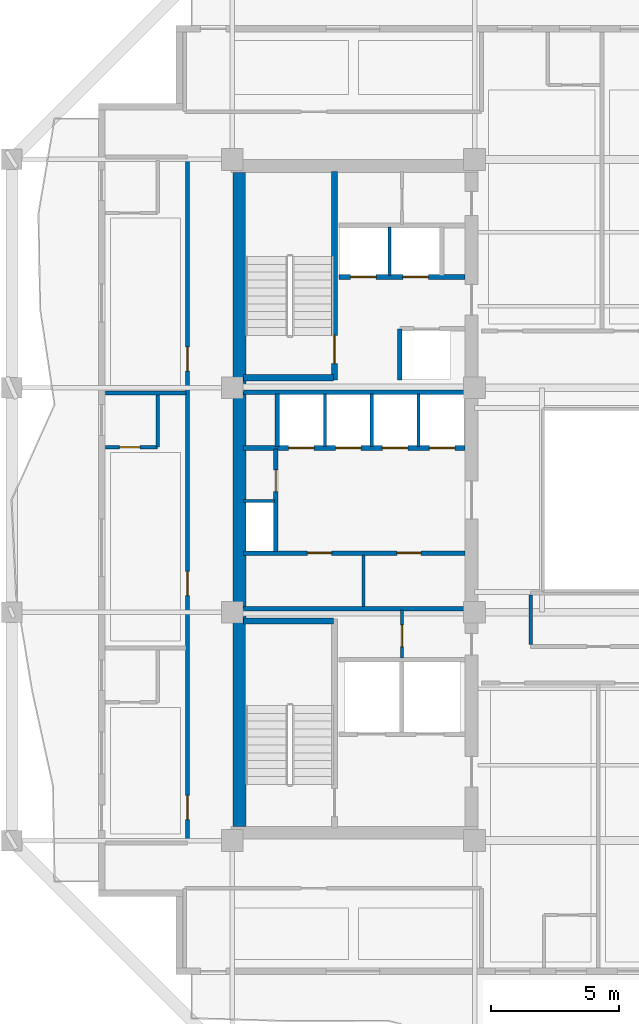
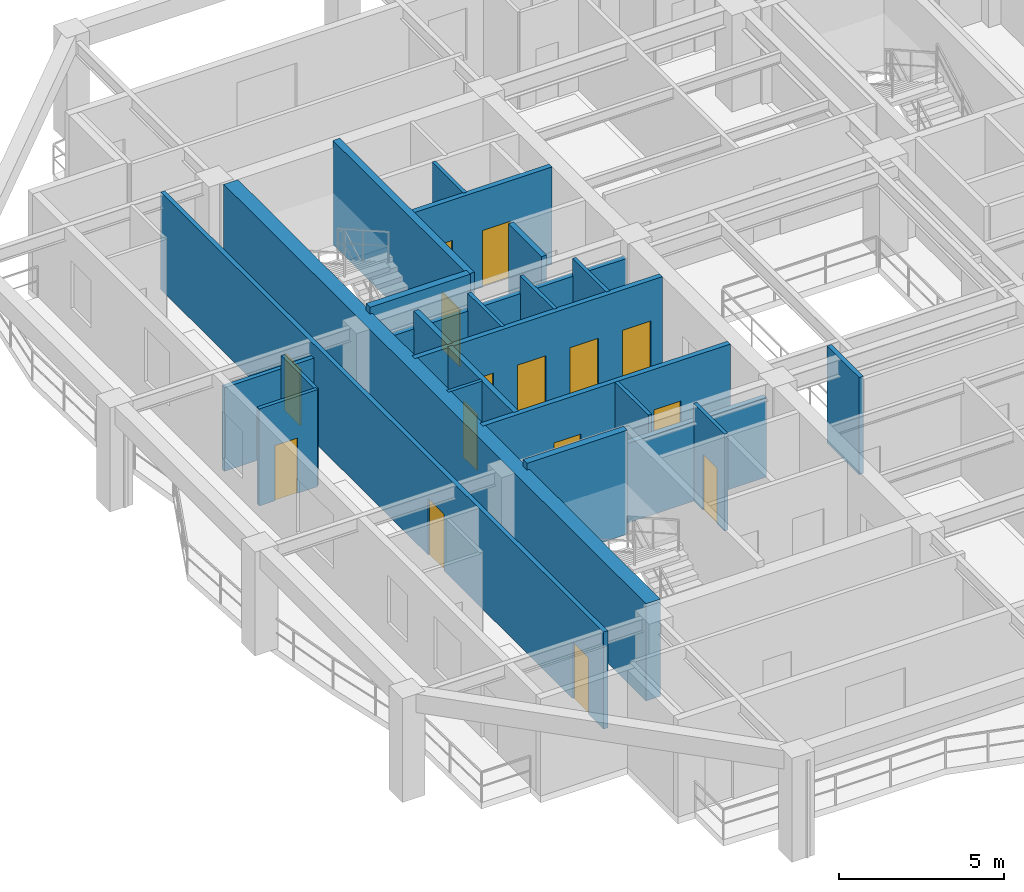
# One storey, part 4 of 11: 24 walls, 15 doors, 15 openings.
"""IFC4 building model written with IfcOpenShell, lengths in metres."""

from ifc_helpers import new_model, si_unit, direction, frame, frame_2d, origin, place, context, subcontext, project, spatial, rectangle, extrude, material, layer, layer_set, type_object, element, fill, save


model = new_model("IFC4")

# Units and contexts
model_context = context("Model", 3, precision=1e-05, world=origin(), true_north=direction((0.0, 1.0)))
body_context = subcontext(model_context, "Body", "Model", "MODEL_VIEW")
ifc_project = project(units=[si_unit("LENGTHUNIT", "METRE"), si_unit("AREAUNIT", "SQUARE_METRE"), si_unit("VOLUMEUNIT", "CUBIC_METRE"), si_unit("PLANEANGLEUNIT", "RADIAN"), si_unit("MASSUNIT", "GRAM", prefix="KILO")], contexts=[model_context])

# Site, building, storey
site_placement = place(None, origin())
site = spatial("IfcSite", under=ifc_project, at=site_placement, CompositionType="ELEMENT")
building_placement = place(site_placement, origin())
building = spatial("IfcBuilding", under=site, at=building_placement, Name="Kundavana Baori Tower", CompositionType="ELEMENT")
storey_placement = place(building_placement, frame((0.0, 0.0, 130.949951171875)))
storey = spatial("IfcBuildingStorey", under=building, at=storey_placement, Name="L31", CompositionType="ELEMENT", Elevation=130.949951171875)

# Wall
ifc_material_1 = material(Name="Concrete C50/60", Category="concrete")
ifc_layer_1 = layer(ifc_material_1, 0.39990234375, Name="WL-CORE-400")
ifc_layer_set_1 = layer_set([ifc_layer_1], Name="Concrete C50/60")
wall_type_1 = type_object("IfcWallType", Name="WL-CORE-400", PredefinedType="SHEAR", material=ifc_layer_set_1)
wall_1_placement = place(storey_placement, frame((15.89990234375, 23.860107421875, 0.0), z_axis=(0.0, 0.0, 1.0), x_axis=(1.0, 0.0, 0.0)))
element("IfcWall", 1, at=wall_1_placement, inside=storey, type_object=wall_type_1, Name="WL-L31-ST1-N", PredefinedType="SHEAR", context=body_context, shape_type="SweptSolid", body=[
    extrude(rectangle(XDim=3.52001953125, YDim=0.239990234375, at=frame_2d((1.760009765625, 0.0))), origin(), (0.0, 0.0, 1.0), 3.85009765625),
])

# Wall, opening, door
wall_2_placement = place(storey_placement, frame((19.4599609375, 33.300048828125, 0.0), z_axis=(0.0, 0.0, 1.0), x_axis=(0.0, 1.0, 0.0)))
wall_2 = element("IfcWall", 2, at=wall_2_placement, inside=storey, type_object=wall_type_1, Name="WL-L31-ST2-E", PredefinedType="SHEAR", context=body_context, shape_type="SweptSolid", body=[
    extrude(rectangle(XDim=8.179931640625, YDim=0.239990234375, at=frame_2d((4.08984375, 0.0))), origin(), (0.0, 0.0, 1.0), 3.85009765625),
])
opening_1_placement = place(wall_2_placement, frame((0.64990234375, 0.0, 0.0)))
opening_1 = element("IfcOpeningElement", 3, at=opening_1_placement, cuts=wall_2, Name="Opening FD-110", PredefinedType="OPENING", context=body_context, shape_type="SweptSolid", body=[
    extrude(rectangle(XDim=1.10009765625, YDim=2.10009765625, at=frame_2d((0.550048828125, 1.050048828125))), frame((0.0, 0.1298828125, 0.0), z_axis=(0.0, -1.0, 0.0), x_axis=(1.0, 0.0, 0.0)), (0.0, 0.0, 1.0), 0.260009765625),
])
ifc_material_2 = material(Name="Galvanised Steel Fire-Rated Door Leaf", Category="steel")
door_type_1 = type_object("IfcDoorType", Name="DR-FD120-1100", OperationType="NOTDEFINED", PredefinedType="DOOR", material=ifc_material_2)
door_1_placement = place(opening_1_placement, origin())
door_1 = element("IfcDoor", 4, at=door_1_placement, inside=storey, type_object=door_type_1, Name="DR-L31-ST2", OperationType="SINGLE_SWING_RIGHT", OverallHeight=2.10009765625, OverallWidth=1.10009765625, PredefinedType="DOOR", context=body_context, shape_type="SweptSolid", body=[
    extrude(rectangle(XDim=1.10009765625, YDim=2.10009765625, at=frame_2d((0.550048828125, 1.050048828125))), frame((0.0, 0.02490234375, 0.0), z_axis=(0.0, -1.0, 0.0), x_axis=(1.0, 0.0, 0.0)), (0.0, 0.0, 1.0), 0.050048828125),
])
fill(opening_1, door_1)

# Walls
wall_3_placement = place(storey_placement, frame((15.89990234375, 33.389892578125, 0.0), z_axis=(0.0, 0.0, 1.0), x_axis=(1.0, 0.0, 0.0)))
element("IfcWall", 5, at=wall_3_placement, inside=storey, type_object=wall_type_1, Name="WL-L31-ST2-S", PredefinedType="SHEAR", context=body_context, shape_type="SweptSolid", body=[
    extrude(rectangle(XDim=3.52001953125, YDim=0.239990234375, at=frame_2d((1.760009765625, 0.0))), origin(), (0.0, 0.0, 1.0), 3.85009765625),
])
ifc_material_3 = material(Name="Concrete C50/60", Category="concrete")
ifc_layer_2 = layer(ifc_material_3, 0.5, Name="WL-CORE-500")
ifc_layer_set_2 = layer_set([ifc_layer_2], Name="Concrete C50/60")
wall_type_2 = type_object("IfcWallType", Name="WL-CORE-500", PredefinedType="SHEAR", material=ifc_layer_set_2)
wall_4_placement = place(storey_placement, frame((15.739990234375, 15.81005859375, 0.0), z_axis=(0.0, 0.0, 1.0), x_axis=(0.0, 1.0, 0.0)))
element("IfcWall", 6, at=wall_4_placement, inside=storey, type_object=wall_type_2, Name="L31 Offset Core West Shear Wall", PredefinedType="SHEAR", context=body_context, shape_type="SweptSolid", body=[
    extrude(rectangle(XDim=25.6298828125, YDim=0.5, at=frame_2d((12.81494140625, 0.0))), origin(), (0.0, 0.0, 1.0), 3.60009765625),
])

# Wall, opening, door
ifc_material_4 = material(Name="Acoustic Gypsum Plasterboard on Galvanised Steel Studs", Category="steel")
ifc_layer_3 = layer(ifc_material_4, 0.1201171875, Name="WL-PART-120")
ifc_layer_set_3 = layer_set([ifc_layer_3], Name="Acoustic Gypsum Plasterboard on Galvanised Steel Studs")
wall_type_3 = type_object("IfcWallType", Name="WL-PART-120", PredefinedType="PARTITIONING", material=ifc_layer_set_3)
wall_5_placement = place(storey_placement, frame((22.10009765625, 22.39990234375, 0.0), z_axis=(0.0, 0.0, 1.0), x_axis=(0.0, 1.0, 0.0)))
wall_5 = element("IfcWall", 7, at=wall_5_placement, inside=storey, type_object=wall_type_3, Name="WL-L31-CSMK-D1", PredefinedType="PARTITIONING", context=body_context, shape_type="SweptSolid", body=[
    extrude(rectangle(XDim=1.880126953125, YDim=0.1201171875, at=frame_2d((0.93994140625, 0.0))), origin(), (0.0, 0.0, 1.0), 3.60009765625),
])
opening_2_placement = place(wall_5_placement, frame((0.449951171875, 0.0, 0.0)))
opening_2 = element("IfcOpeningElement", 8, at=opening_2_placement, cuts=wall_5, Name="Opening FD-085", PredefinedType="OPENING", context=body_context, shape_type="SweptSolid", body=[
    extrude(rectangle(XDim=0.85009765625, YDim=2.06005859375, at=frame_2d((0.425048828125, 1.030029296875))), frame((0.0, 0.070068359375, 0.0), z_axis=(0.0, -1.0, 0.0), x_axis=(1.0, 0.0, 0.0)), (0.0, 0.0, 1.0), 0.14013671875),
])
ifc_material_5 = material(Name="Galvanised Steel Fire-Rated Door Leaf", Category="steel")
door_type_2 = type_object("IfcDoorType", Name="DR-FD60-850", OperationType="NOTDEFINED", PredefinedType="DOOR", material=ifc_material_5)
door_2_placement = place(opening_2_placement, origin())
door_2 = element("IfcDoor", 9, at=door_2_placement, inside=storey, type_object=door_type_2, Name="DR-L31-CSMK1", OperationType="SINGLE_SWING_LEFT", OverallHeight=2.06005859375, OverallWidth=0.85009765625, PredefinedType="DOOR", context=body_context, shape_type="SweptSolid", body=[
    extrude(rectangle(XDim=0.85009765625, YDim=2.06005859375, at=frame_2d((0.425048828125, 1.030029296875))), frame((0.0, 0.02490234375, 0.0), z_axis=(0.0, -1.0, 0.0), x_axis=(1.0, 0.0, 0.0)), (0.0, 0.0, 1.0), 0.050048828125),
])
fill(opening_2, door_2)

# Walls
wall_6_placement = place(storey_placement, frame((20.60009765625, 24.419921875, 0.0), z_axis=(0.0, 0.0, 1.0), x_axis=(0.0, 1.0, 0.0)))
element("IfcWall", 10, at=wall_6_placement, inside=storey, type_object=wall_type_3, Name="WL-L31-FRLOW-DIV", PredefinedType="PARTITIONING", context=body_context, shape_type="SweptSolid", body=[
    extrude(rectangle(XDim=2.02001953125, YDim=0.1201171875, at=frame_2d((1.010009765625, 0.0))), origin(), (0.0, 0.0, 1.0), 3.60009765625),
])
wall_7_placement = place(storey_placement, frame((15.89990234375, 28.56005859375, 0.0), z_axis=(0.0, 0.0, 1.0), x_axis=(1.0, 0.0, 0.0)))
element("IfcWall", 11, at=wall_7_placement, inside=storey, type_object=wall_type_3, Name="WL-L31-RSRW-N", PredefinedType="PARTITIONING", context=body_context, shape_type="SweptSolid", body=[
    extrude(rectangle(XDim=1.2001953125, YDim=0.1201171875, at=frame_2d((0.60009765625, 0.0))), origin(), (0.0, 0.0, 1.0), 3.60009765625),
])
for number, where, z_axis, x_axis, name in (
    (12, (19.080078125, 30.699951171875, 0.0), (0.0, 0.0, 1.0), (0.0, 1.0, 0.0), "WL-L31-LPMID-D1"),
    (13, (20.919921875, 30.699951171875, 0.0), (0.0, 0.0, 1.0), (0.0, 1.0, 0.0), "WL-L31-LPMID-D2"),
    (14, (22.760009765625, 30.699951171875, 0.0), (0.0, 0.0, 1.0), (0.0, 1.0, 0.0), "WL-L31-LPMID-D3"),
):
    element("IfcWall", number, at=place(storey_placement, frame(where, z_axis=z_axis, x_axis=x_axis)), inside=storey, type_object=wall_type_3, Name=name, PredefinedType="PARTITIONING", context=body_context, shape_type="SweptSolid", body=[
        extrude(rectangle(XDim=2.050048828125, YDim=0.1201171875, at=frame_2d((1.02490234375, 0.0))), origin(), (0.0, 0.0, 1.0), 3.60009765625),
    ])
wall_8_placement = place(storey_placement, frame((21.6201171875, 37.39990234375, 0.0), z_axis=(0.0, 0.0, 1.0), x_axis=(0.0, 1.0, 0.0)))
element("IfcWall", 15, at=wall_8_placement, inside=storey, type_object=wall_type_3, Name="WL-L31-HR-DIV1", PredefinedType="PARTITIONING", context=body_context, shape_type="SweptSolid", body=[
    extrude(rectangle(XDim=1.900146484375, YDim=0.1201171875, at=frame_2d((0.9501953125, 0.0))), origin(), (0.0, 0.0, 1.0), 3.60009765625),
])

# Wall, openings, doors
ifc_material_6 = material(Name="Fire-Rated Gypsum Drywall on Galvanised Steel Studs", Category="steel")
ifc_layer_4 = layer(ifc_material_6, 0.14990234375, Name="WL-PART-150")
ifc_layer_set_4 = layer_set([ifc_layer_4], Name="Fire-Rated Gypsum Drywall on Galvanised Steel Studs")
wall_type_4 = type_object("IfcWallType", Name="WL-PART-150", PredefinedType="PARTITIONING", material=ifc_layer_set_4)
wall_9_placement = place(storey_placement, frame((13.699951171875, 15.159912109375, 0.0), z_axis=(0.0, 0.0, 1.0), x_axis=(0.0, 1.0, 0.0)))
wall_9 = element("IfcWall", 16, at=wall_9_placement, inside=storey, type_object=wall_type_4, Name="WL-L31-HW", PredefinedType="PARTITIONING", context=body_context, shape_type="SweptSolid", body=[
    extrude(rectangle(XDim=26.880126953125, YDim=0.14990234375, at=frame_2d((13.43994140625, 0.0))), origin(), (0.0, 0.0, 1.0), 3.60009765625),
])
opening_3_placement = place(wall_9_placement, frame((0.909912109375, 0.0, 0.0)))
opening_3 = element("IfcOpeningElement", 17, at=opening_3_placement, cuts=wall_9, Name="Opening FD-095", PredefinedType="OPENING", context=body_context, shape_type="SweptSolid", body=[
    extrude(rectangle(XDim=0.949951171875, YDim=2.10009765625, at=frame_2d((0.47509765625, 1.050048828125))), frame((0.0, 0.0849609375, 0.0), z_axis=(0.0, -1.0, 0.0), x_axis=(1.0, 0.0, 0.0)), (0.0, 0.0, 1.0), 0.169921875),
])
opening_4_placement = place(wall_9_placement, frame((9.68994140625, 0.0, 0.0)))
opening_4 = element("IfcOpeningElement", 18, at=opening_4_placement, cuts=wall_9, Name="Opening FD-095", PredefinedType="OPENING", context=body_context, shape_type="SweptSolid", body=[
    extrude(rectangle(XDim=0.949951171875, YDim=2.10009765625, at=frame_2d((0.47509765625, 1.050048828125))), frame((0.0, 0.0849609375, 0.0), z_axis=(0.0, -1.0, 0.0), x_axis=(1.0, 0.0, 0.0)), (0.0, 0.0, 1.0), 0.169921875),
])
opening_5_placement = place(wall_9_placement, frame((18.489990234375, 0.0, 0.0)))
opening_5 = element("IfcOpeningElement", 19, at=opening_5_placement, cuts=wall_9, Name="Opening FD-095", PredefinedType="OPENING", context=body_context, shape_type="SweptSolid", body=[
    extrude(rectangle(XDim=0.949951171875, YDim=2.10009765625, at=frame_2d((0.47509765625, 1.050048828125))), frame((0.0, 0.0849609375, 0.0), z_axis=(0.0, -1.0, 0.0), x_axis=(1.0, 0.0, 0.0)), (0.0, 0.0, 1.0), 0.169921875),
])
ifc_material_7 = material(Name="Engineered Teak Fire-Rated Timber Door Leaf", Category="wood")
door_type_3 = type_object("IfcDoorType", Name="DR-FD60-950", OperationType="NOTDEFINED", PredefinedType="DOOR", material=ifc_material_7)
door_3_placement = place(opening_3_placement, origin())
door_3 = element("IfcDoor", 20, at=door_3_placement, inside=storey, type_object=door_type_3, Name="DR-L31-HK-W1-ENT", OperationType="SINGLE_SWING_LEFT", OverallHeight=2.10009765625, OverallWidth=0.949951171875, PredefinedType="DOOR", context=body_context, shape_type="SweptSolid", body=[
    extrude(rectangle(XDim=0.949951171875, YDim=2.10009765625, at=frame_2d((0.47509765625, 1.050048828125))), frame((0.0, 0.02490234375, 0.0), z_axis=(0.0, -1.0, 0.0), x_axis=(1.0, 0.0, 0.0)), (0.0, 0.0, 1.0), 0.050048828125),
])
fill(opening_3, door_3)
door_4_placement = place(opening_4_placement, origin())
door_4 = element("IfcDoor", 21, at=door_4_placement, inside=storey, type_object=door_type_3, Name="DR-L31-HK-W2-ENT", OperationType="SINGLE_SWING_LEFT", OverallHeight=2.10009765625, OverallWidth=0.949951171875, PredefinedType="DOOR", context=body_context, shape_type="SweptSolid", body=[
    extrude(rectangle(XDim=0.949951171875, YDim=2.10009765625, at=frame_2d((0.47509765625, 1.050048828125))), frame((0.0, 0.02490234375, 0.0), z_axis=(0.0, -1.0, 0.0), x_axis=(1.0, 0.0, 0.0)), (0.0, 0.0, 1.0), 0.050048828125),
])
fill(opening_4, door_4)
door_5_placement = place(opening_5_placement, origin())
door_5 = element("IfcDoor", 22, at=door_5_placement, inside=storey, type_object=door_type_3, Name="DR-L31-HK-W3-ENT", OperationType="SINGLE_SWING_LEFT", OverallHeight=2.10009765625, OverallWidth=0.949951171875, PredefinedType="DOOR", context=body_context, shape_type="SweptSolid", body=[
    extrude(rectangle(XDim=0.949951171875, YDim=2.10009765625, at=frame_2d((0.47509765625, 1.050048828125))), frame((0.0, 0.02490234375, 0.0), z_axis=(0.0, -1.0, 0.0), x_axis=(1.0, 0.0, 0.0)), (0.0, 0.0, 1.0), 0.050048828125),
])
fill(opening_5, door_5)

# Walls
wall_10_placement = place(storey_placement, frame((27.14990234375, 22.93994140625, 0.0), z_axis=(0.0, 0.0, 1.0), x_axis=(0.0, 1.0, 0.0)))
element("IfcWall", 23, at=wall_10_placement, inside=storey, type_object=wall_type_4, Name="WL-L31-HPN2", PredefinedType="PARTITIONING", context=body_context, shape_type="SweptSolid", body=[
    extrude(rectangle(XDim=1.93994140625, YDim=0.14990234375, at=frame_2d((0.969970703125, 0.0))), origin(), (0.0, 0.0, 1.0), 3.60009765625),
])
wall_11_placement = place(storey_placement, frame((10.47998046875, 32.800048828125, 0.0), z_axis=(0.0, 0.0, 1.0), x_axis=(1.0, 0.0, 0.0)))
element("IfcWall", 24, at=wall_11_placement, inside=storey, type_object=wall_type_4, Name="WL-L31-HWD2", PredefinedType="PARTITIONING", context=body_context, shape_type="SweptSolid", body=[
    extrude(rectangle(XDim=3.159912109375, YDim=0.14990234375, at=frame_2d((1.580078125, 0.0))), origin(), (0.0, 0.0, 1.0), 3.10009765625),
])

# Wall, openings, doors
ifc_material_8 = material(Name="Autoclaved Aerated Concrete Blockwork Masonry", Category="masonry")
ifc_layer_5 = layer(ifc_material_8, 0.179931640625, Name="WL-SHAFT-180")
ifc_layer_set_5 = layer_set([ifc_layer_5], Name="Autoclaved Aerated Concrete Blockwork Masonry")
wall_type_5 = type_object("IfcWallType", Name="WL-SHAFT-180", PredefinedType="SOLIDWALL", material=ifc_layer_set_5)
wall_12_placement = place(storey_placement, frame((15.89990234375, 26.52001953125, 0.0), z_axis=(0.0, 0.0, 1.0), x_axis=(1.0, 0.0, 0.0)))
wall_12 = element("IfcWall", 25, at=wall_12_placement, inside=storey, type_object=wall_type_5, Name="WL-L31-LPLOW-N", PredefinedType="SOLIDWALL", context=body_context, shape_type="SweptSolid", body=[
    extrude(rectangle(XDim=8.68017578125, YDim=0.179931640625, at=frame_2d((4.340087890625, 0.0))), origin(), (0.0, 0.0, 1.0), 3.60009765625),
])
opening_6_placement = place(wall_12_placement, frame((2.5, 0.0, 0.0)))
opening_6 = element("IfcOpeningElement", 26, at=opening_6_placement, cuts=wall_12, Name="Opening FD-095", PredefinedType="OPENING", context=body_context, shape_type="SweptSolid", body=[
    extrude(rectangle(XDim=0.949951171875, YDim=2.10009765625, at=frame_2d((0.47509765625, 1.050048828125))), frame((0.0, 0.10009765625, 0.0), z_axis=(0.0, -1.0, 0.0), x_axis=(1.0, 0.0, 0.0)), (0.0, 0.0, 1.0), 0.199951171875),
])
opening_7_placement = place(wall_12_placement, frame((6.0, 0.0, 0.0)))
opening_7 = element("IfcOpeningElement", 27, at=opening_7_placement, cuts=wall_12, Name="Opening FD-095", PredefinedType="OPENING", context=body_context, shape_type="SweptSolid", body=[
    extrude(rectangle(XDim=0.949951171875, YDim=2.10009765625, at=frame_2d((0.47509765625, 1.050048828125))), frame((0.0, 0.10009765625, 0.0), z_axis=(0.0, -1.0, 0.0), x_axis=(1.0, 0.0, 0.0)), (0.0, 0.0, 1.0), 0.199951171875),
])
door_6_placement = place(opening_6_placement, origin())
door_6 = element("IfcDoor", 28, at=door_6_placement, inside=storey, type_object=door_type_3, Name="DR-L31-FRLOW1", OperationType="SINGLE_SWING_LEFT", OverallHeight=2.10009765625, OverallWidth=0.949951171875, PredefinedType="DOOR", context=body_context, shape_type="SweptSolid", body=[
    extrude(rectangle(XDim=0.949951171875, YDim=2.10009765625, at=frame_2d((0.47509765625, 1.050048828125))), frame((0.0, 0.02490234375, 0.0), z_axis=(0.0, -1.0, 0.0), x_axis=(1.0, 0.0, 0.0)), (0.0, 0.0, 1.0), 0.050048828125),
])
fill(opening_6, door_6)
door_7_placement = place(opening_7_placement, origin())
door_7 = element("IfcDoor", 29, at=door_7_placement, inside=storey, type_object=door_type_3, Name="DR-L31-FRLOW2", OperationType="SINGLE_SWING_RIGHT", OverallHeight=2.10009765625, OverallWidth=0.949951171875, PredefinedType="DOOR", context=body_context, shape_type="SweptSolid", body=[
    extrude(rectangle(XDim=0.949951171875, YDim=2.10009765625, at=frame_2d((0.47509765625, 1.050048828125))), frame((0.0, 0.02490234375, 0.0), z_axis=(0.0, -1.0, 0.0), x_axis=(1.0, 0.0, 0.0)), (0.0, 0.0, 1.0), 0.050048828125),
])
fill(opening_7, door_7)

# Wall
wall_13_placement = place(storey_placement, frame((15.89990234375, 24.330078125, 0.0), z_axis=(0.0, 0.0, 1.0), x_axis=(1.0, 0.0, 0.0)))
element("IfcWall", 30, at=wall_13_placement, inside=storey, type_object=wall_type_5, Name="WL-L31-LPLOW-S", PredefinedType="SOLIDWALL", context=body_context, shape_type="SweptSolid", body=[
    extrude(rectangle(XDim=8.68017578125, YDim=0.179931640625, at=frame_2d((4.340087890625, 0.0))), origin(), (0.0, 0.0, 1.0), 2.949951171875),
])

# Wall, opening, door
wall_14_placement = place(storey_placement, frame((17.159912109375, 26.580078125, 0.0), z_axis=(0.0, 0.0, 1.0), x_axis=(0.0, 1.0, 0.0)))
wall_14 = element("IfcWall", 31, at=wall_14_placement, inside=storey, type_object=wall_type_5, Name="WL-L31-RSRW-E", PredefinedType="SOLIDWALL", context=body_context, shape_type="SweptSolid", body=[
    extrude(rectangle(XDim=4.02001953125, YDim=0.179931640625, at=frame_2d((2.010009765625, 0.0))), origin(), (0.0, 0.0, 1.0), 3.60009765625),
])
opening_8_placement = place(wall_14_placement, frame((2.35009765625, 0.0, 0.0)))
opening_8 = element("IfcOpeningElement", 32, at=opening_8_placement, cuts=wall_14, Name="Opening FD-085", PredefinedType="OPENING", context=body_context, shape_type="SweptSolid", body=[
    extrude(rectangle(XDim=0.85009765625, YDim=2.06005859375, at=frame_2d((0.425048828125, 1.030029296875))), frame((0.0, 0.10009765625, 0.0), z_axis=(0.0, -1.0, 0.0), x_axis=(1.0, 0.0, 0.0)), (0.0, 0.0, 1.0), 0.199951171875),
])
door_8_placement = place(opening_8_placement, origin())
door_8 = element("IfcDoor", 33, at=door_8_placement, inside=storey, type_object=door_type_2, Name="DR-L31-CLN", OperationType="SINGLE_SWING_RIGHT", OverallHeight=2.06005859375, OverallWidth=0.85009765625, PredefinedType="DOOR", context=body_context, shape_type="SweptSolid", body=[
    extrude(rectangle(XDim=0.85009765625, YDim=2.06005859375, at=frame_2d((0.425048828125, 1.030029296875))), frame((0.0, 0.02490234375, 0.0), z_axis=(0.0, -1.0, 0.0), x_axis=(1.0, 0.0, 0.0)), (0.0, 0.0, 1.0), 0.050048828125),
])
fill(opening_8, door_8)

# Wall, openings, doors
wall_15_placement = place(storey_placement, frame((15.89990234375, 30.639892578125, 0.0), z_axis=(0.0, 0.0, 1.0), x_axis=(1.0, 0.0, 0.0)))
wall_15 = element("IfcWall", 34, at=wall_15_placement, inside=storey, type_object=wall_type_5, Name="WL-L31-LPMID-S", PredefinedType="SOLIDWALL", context=body_context, shape_type="SweptSolid", body=[
    extrude(rectangle(XDim=8.68017578125, YDim=0.179931640625, at=frame_2d((4.340087890625, 0.0))), origin(), (0.0, 0.0, 1.0), 3.60009765625),
])
opening_9_placement = place(wall_15_placement, frame((1.760009765625, 0.0, 0.0)))
opening_9 = element("IfcOpeningElement", 35, at=opening_9_placement, cuts=wall_15, Name="Opening LD-100", PredefinedType="OPENING", context=body_context, shape_type="SweptSolid", body=[
    extrude(rectangle(XDim=1.0, YDim=2.10009765625, at=frame_2d((0.5, 1.050048828125))), frame((0.0, 0.10009765625, 0.0), z_axis=(0.0, -1.0, 0.0), x_axis=(1.0, 0.0, 0.0)), (0.0, 0.0, 1.0), 0.199951171875),
])
opening_10_placement = place(wall_15_placement, frame((3.60009765625, 0.0, 0.0)))
opening_10 = element("IfcOpeningElement", 36, at=opening_10_placement, cuts=wall_15, Name="Opening LD-100", PredefinedType="OPENING", context=body_context, shape_type="SweptSolid", body=[
    extrude(rectangle(XDim=1.0, YDim=2.10009765625, at=frame_2d((0.5, 1.050048828125))), frame((0.0, 0.10009765625, 0.0), z_axis=(0.0, -1.0, 0.0), x_axis=(1.0, 0.0, 0.0)), (0.0, 0.0, 1.0), 0.199951171875),
])
opening_11_placement = place(wall_15_placement, frame((5.43994140625, 0.0, 0.0)))
opening_11 = element("IfcOpeningElement", 37, at=opening_11_placement, cuts=wall_15, Name="Opening LD-100", PredefinedType="OPENING", context=body_context, shape_type="SweptSolid", body=[
    extrude(rectangle(XDim=1.0, YDim=2.10009765625, at=frame_2d((0.5, 1.050048828125))), frame((0.0, 0.10009765625, 0.0), z_axis=(0.0, -1.0, 0.0), x_axis=(1.0, 0.0, 0.0)), (0.0, 0.0, 1.0), 0.199951171875),
])
opening_12_placement = place(wall_15_placement, frame((7.280029296875, 0.0, 0.0)))
opening_12 = element("IfcOpeningElement", 38, at=opening_12_placement, cuts=wall_15, Name="Opening LD-100", PredefinedType="OPENING", context=body_context, shape_type="SweptSolid", body=[
    extrude(rectangle(XDim=1.0, YDim=2.10009765625, at=frame_2d((0.5, 1.050048828125))), frame((0.0, 0.10009765625, 0.0), z_axis=(0.0, -1.0, 0.0), x_axis=(1.0, 0.0, 0.0)), (0.0, 0.0, 1.0), 0.199951171875),
])
ifc_material_9 = material(Name="Galvanised Steel Fire-Rated Door Leaf", Category="steel")
door_type_4 = type_object("IfcDoorType", Name="DR-SLIDE-LD1000", OperationType="NOTDEFINED", PredefinedType="DOOR", material=ifc_material_9)
door_9_placement = place(opening_9_placement, frame((1.0, 0.0, 0.0), z_axis=(0.0, 0.0, 1.0), x_axis=(-1.0, 0.0, 0.0)))
door_9 = element("IfcDoor", 39, at=door_9_placement, inside=storey, type_object=door_type_4, Name="DR-L31-LD-LP-05", OperationType="DOUBLE_DOOR_SLIDING", OverallHeight=2.10009765625, OverallWidth=1.0, PredefinedType="DOOR", context=body_context, shape_type="SweptSolid", body=[
    extrude(rectangle(XDim=1.0, YDim=2.10009765625, at=frame_2d((0.5, 1.050048828125))), frame((0.0, 0.02490234375, 0.0), z_axis=(0.0, -1.0, 0.0), x_axis=(1.0, 0.0, 0.0)), (0.0, 0.0, 1.0), 0.050048828125),
])
fill(opening_9, door_9)
door_10_placement = place(opening_10_placement, frame((1.0, 0.0, 0.0), z_axis=(0.0, 0.0, 1.0), x_axis=(-1.0, 0.0, 0.0)))
door_10 = element("IfcDoor", 40, at=door_10_placement, inside=storey, type_object=door_type_4, Name="DR-L31-LD-LP-06", OperationType="DOUBLE_DOOR_SLIDING", OverallHeight=2.10009765625, OverallWidth=1.0, PredefinedType="DOOR", context=body_context, shape_type="SweptSolid", body=[
    extrude(rectangle(XDim=1.0, YDim=2.10009765625, at=frame_2d((0.5, 1.050048828125))), frame((0.0, 0.02490234375, 0.0), z_axis=(0.0, -1.0, 0.0), x_axis=(1.0, 0.0, 0.0)), (0.0, 0.0, 1.0), 0.050048828125),
])
fill(opening_10, door_10)
door_11_placement = place(opening_11_placement, frame((1.0, 0.0, 0.0), z_axis=(0.0, 0.0, 1.0), x_axis=(-1.0, 0.0, 0.0)))
door_11 = element("IfcDoor", 41, at=door_11_placement, inside=storey, type_object=door_type_4, Name="DR-L31-LD-LP-07", OperationType="DOUBLE_DOOR_SLIDING", OverallHeight=2.10009765625, OverallWidth=1.0, PredefinedType="DOOR", context=body_context, shape_type="SweptSolid", body=[
    extrude(rectangle(XDim=1.0, YDim=2.10009765625, at=frame_2d((0.5, 1.050048828125))), frame((0.0, 0.02490234375, 0.0), z_axis=(0.0, -1.0, 0.0), x_axis=(1.0, 0.0, 0.0)), (0.0, 0.0, 1.0), 0.050048828125),
])
fill(opening_11, door_11)
door_12_placement = place(opening_12_placement, frame((1.0, 0.0, 0.0), z_axis=(0.0, 0.0, 1.0), x_axis=(-1.0, 0.0, 0.0)))
door_12 = element("IfcDoor", 42, at=door_12_placement, inside=storey, type_object=door_type_4, Name="DR-L31-LD-LP-08", OperationType="DOUBLE_DOOR_SLIDING", OverallHeight=2.10009765625, OverallWidth=1.0, PredefinedType="DOOR", context=body_context, shape_type="SweptSolid", body=[
    extrude(rectangle(XDim=1.0, YDim=2.10009765625, at=frame_2d((0.5, 1.050048828125))), frame((0.0, 0.02490234375, 0.0), z_axis=(0.0, -1.0, 0.0), x_axis=(1.0, 0.0, 0.0)), (0.0, 0.0, 1.0), 0.050048828125),
])
fill(opening_12, door_12)

# Walls
wall_16_placement = place(storey_placement, frame((15.89990234375, 32.820068359375, 0.0), z_axis=(0.0, 0.0, 1.0), x_axis=(1.0, 0.0, 0.0)))
element("IfcWall", 43, at=wall_16_placement, inside=storey, type_object=wall_type_5, Name="WL-L31-LPMID-N", PredefinedType="SOLIDWALL", context=body_context, shape_type="SweptSolid", body=[
    extrude(rectangle(XDim=8.68017578125, YDim=0.179931640625, at=frame_2d((4.340087890625, 0.0))), origin(), (0.0, 0.0, 1.0), 2.949951171875),
])
wall_17_placement = place(storey_placement, frame((17.219970703125, 30.699951171875, 0.0), z_axis=(0.0, 0.0, 1.0), x_axis=(0.0, 1.0, 0.0)))
element("IfcWall", 44, at=wall_17_placement, inside=storey, type_object=wall_type_5, Name="WL-L31-LPMID-W", PredefinedType="SOLIDWALL", context=body_context, shape_type="SweptSolid", body=[
    extrude(rectangle(XDim=2.050048828125, YDim=0.179931640625, at=frame_2d((1.02490234375, 0.0))), origin(), (0.0, 0.0, 1.0), 3.60009765625),
])
wall_18_placement = place(storey_placement, frame((22.02001953125, 33.300048828125, 0.0), z_axis=(0.0, 0.0, 1.0), x_axis=(0.0, 1.0, 0.0)))
element("IfcWall", 45, at=wall_18_placement, inside=storey, type_object=wall_type_5, Name="WL-L31-LP11-W", PredefinedType="SOLIDWALL", context=body_context, shape_type="SweptSolid", body=[
    extrude(rectangle(XDim=2.010009765625, YDim=0.179931640625, at=frame_2d((1.0048828125, 0.0))), origin(), (0.0, 0.0, 1.0), 3.60009765625),
])

# Wall, openings, doors
wall_19_placement = place(storey_placement, frame((19.639892578125, 37.340087890625, 0.0), z_axis=(0.0, 0.0, 1.0), x_axis=(1.0, 0.0, 0.0)))
wall_19 = element("IfcWall", 46, at=wall_19_placement, inside=storey, type_object=wall_type_5, Name="WL-L31-HRLOB-N", PredefinedType="SOLIDWALL", context=body_context, shape_type="SweptSolid", body=[
    extrude(rectangle(XDim=4.940185546875, YDim=0.179931640625, at=frame_2d((2.47021484375, 0.0))), origin(), (0.0, 0.0, 1.0), 3.60009765625),
])
opening_13_placement = place(wall_19_placement, frame((0.449951171875, 0.0, 0.0)))
opening_13 = element("IfcOpeningElement", 47, at=opening_13_placement, cuts=wall_19, Name="Opening LD-100", PredefinedType="OPENING", context=body_context, shape_type="SweptSolid", body=[
    extrude(rectangle(XDim=1.0, YDim=2.10009765625, at=frame_2d((0.5, 1.050048828125))), frame((0.0, 0.10009765625, 0.0), z_axis=(0.0, -1.0, 0.0), x_axis=(1.0, 0.0, 0.0)), (0.0, 0.0, 1.0), 0.199951171875),
])
opening_14_placement = place(wall_19_placement, frame((2.5, 0.0, 0.0)))
opening_14 = element("IfcOpeningElement", 48, at=opening_14_placement, cuts=wall_19, Name="Opening LD-100", PredefinedType="OPENING", context=body_context, shape_type="SweptSolid", body=[
    extrude(rectangle(XDim=1.0, YDim=2.10009765625, at=frame_2d((0.5, 1.050048828125))), frame((0.0, 0.10009765625, 0.0), z_axis=(0.0, -1.0, 0.0), x_axis=(1.0, 0.0, 0.0)), (0.0, 0.0, 1.0), 0.199951171875),
])
door_13_placement = place(opening_13_placement, frame((1.0, 0.0, 0.0), z_axis=(0.0, 0.0, 1.0), x_axis=(-1.0, 0.0, 0.0)))
door_13 = element("IfcDoor", 49, at=door_13_placement, inside=storey, type_object=door_type_4, Name="DR-L31-LD-LP09", OperationType="DOUBLE_DOOR_SLIDING", OverallHeight=2.10009765625, OverallWidth=1.0, PredefinedType="DOOR", context=body_context, shape_type="SweptSolid", body=[
    extrude(rectangle(XDim=1.0, YDim=2.10009765625, at=frame_2d((0.5, 1.050048828125))), frame((0.0, 0.02490234375, 0.0), z_axis=(0.0, -1.0, 0.0), x_axis=(1.0, 0.0, 0.0)), (0.0, 0.0, 1.0), 0.050048828125),
])
fill(opening_13, door_13)
door_14_placement = place(opening_14_placement, frame((1.0, 0.0, 0.0), z_axis=(0.0, 0.0, 1.0), x_axis=(-1.0, 0.0, 0.0)))
door_14 = element("IfcDoor", 50, at=door_14_placement, inside=storey, type_object=door_type_4, Name="DR-L31-LD-LP10", OperationType="DOUBLE_DOOR_SLIDING", OverallHeight=2.10009765625, OverallWidth=1.0, PredefinedType="DOOR", context=body_context, shape_type="SweptSolid", body=[
    extrude(rectangle(XDim=1.0, YDim=2.10009765625, at=frame_2d((0.5, 1.050048828125))), frame((0.0, 0.02490234375, 0.0), z_axis=(0.0, -1.0, 0.0), x_axis=(1.0, 0.0, 0.0)), (0.0, 0.0, 1.0), 0.050048828125),
])
fill(opening_14, door_14)

# Wall
ifc_material_10 = material(Name="Autoclaved Aerated Concrete Blockwork Masonry", Category="masonry")
ifc_layer_6 = layer(ifc_material_10, 0.125, Name="WL-WET-120")
ifc_layer_set_6 = layer_set([ifc_layer_6], Name="Autoclaved Aerated Concrete Blockwork Masonry")
wall_type_6 = type_object("IfcWallType", Name="WL-WET-120", PredefinedType="PLUMBINGWALL", material=ifc_layer_set_6)
wall_20_placement = place(storey_placement, frame((12.530029296875, 30.669921875, 0.0), z_axis=(0.0, 0.0, 1.0), x_axis=(0.0, 1.0, 0.0)))
element("IfcWall", 51, at=wall_20_placement, inside=storey, type_object=wall_type_6, Name="WL-L31-HK-W2-BE", PredefinedType="PLUMBINGWALL", context=body_context, shape_type="SweptSolid", body=[
    extrude(rectangle(XDim=2.050048828125, YDim=0.125, at=frame_2d((1.02490234375, 0.0))), origin(), (0.0, 0.0, 1.0), 3.60009765625),
])

# Wall, opening, door
wall_21_placement = place(storey_placement, frame((10.47998046875, 30.669921875, 0.0), z_axis=(0.0, 0.0, 1.0), x_axis=(1.0, 0.0, 0.0)))
wall_21 = element("IfcWall", 52, at=wall_21_placement, inside=storey, type_object=wall_type_6, Name="WL-L31-HK-W2-BS", PredefinedType="PLUMBINGWALL", context=body_context, shape_type="SweptSolid", body=[
    extrude(rectangle(XDim=2.050048828125, YDim=0.125, at=frame_2d((1.02490234375, 0.0))), origin(), (0.0, 0.0, 1.0), 3.60009765625),
])
opening_15_placement = place(wall_21_placement, frame((0.550048828125, 0.0, 0.0)))
opening_15 = element("IfcOpeningElement", 53, at=opening_15_placement, cuts=wall_21, Name="Opening WD-080", PredefinedType="OPENING", context=body_context, shape_type="SweptSolid", body=[
    extrude(rectangle(XDim=0.800048828125, YDim=2.050048828125, at=frame_2d((0.39990234375, 1.02490234375))), frame((0.0, 0.072509765625, 0.0), z_axis=(0.0, -1.0, 0.0), x_axis=(1.0, 0.0, 0.0)), (0.0, 0.0, 1.0), 0.14501953125),
])
ifc_material_11 = material(Name="Engineered Teak Solid-Core Timber Veneer", Category="wood")
door_type_5 = type_object("IfcDoorType", Name="DR-WET-800", OperationType="NOTDEFINED", PredefinedType="DOOR", material=ifc_material_11)
door_15_placement = place(opening_15_placement, frame((0.800048828125, 0.0, 0.0), z_axis=(0.0, 0.0, 1.0), x_axis=(-1.0, 0.0, 0.0)))
door_15 = element("IfcDoor", 54, at=door_15_placement, inside=storey, type_object=door_type_5, Name="DR-L31-HK-W2-ENS", OperationType="SINGLE_SWING_LEFT", OverallHeight=2.050048828125, OverallWidth=0.800048828125, PredefinedType="DOOR", context=body_context, shape_type="SweptSolid", body=[
    extrude(rectangle(XDim=0.800048828125, YDim=2.050048828125, at=frame_2d((0.39990234375, 1.02490234375))), frame((0.0, 0.02490234375, 0.0), z_axis=(0.0, -1.0, 0.0), x_axis=(1.0, 0.0, 0.0)), (0.0, 0.0, 1.0), 0.050048828125),
])
fill(opening_15, door_15)

save(model, "model.ifc")
